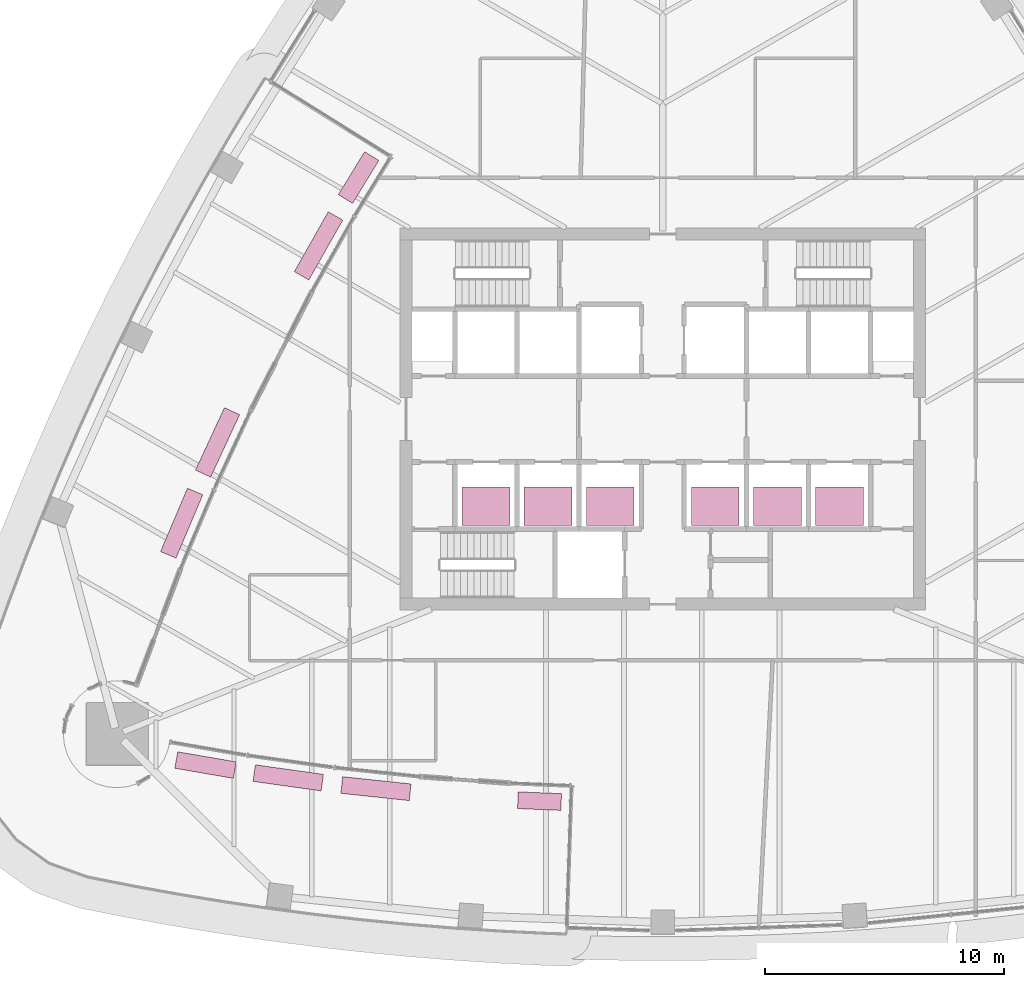
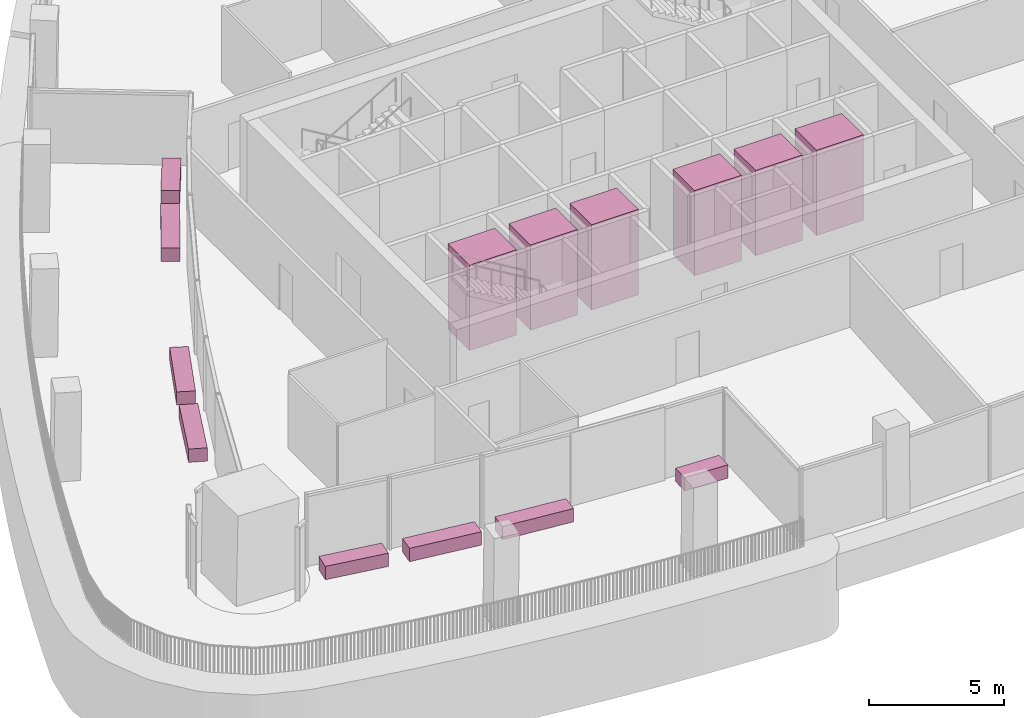
# One storey, part 18 of 18: 8 furniture elements, 6 transport elements.
"""IFC4 building model written with IfcOpenShell, lengths in metres."""

from ifc_helpers import new_model, si_unit, direction, frame, origin, origin_2d, place, context, subcontext, project, spatial, rectangle, extrude, material, type_object, element, save


model = new_model("IFC4")

# Units and contexts
model_context = context("Model", 3, precision=1e-05, world=origin(), true_north=direction((0.0, 1.0)))
body_context = subcontext(model_context, "Body", "Model", "MODEL_VIEW")
ifc_project = project(units=[si_unit("LENGTHUNIT", "METRE"), si_unit("AREAUNIT", "SQUARE_METRE"), si_unit("VOLUMEUNIT", "CUBIC_METRE"), si_unit("PLANEANGLEUNIT", "RADIAN"), si_unit("MASSUNIT", "GRAM", prefix="KILO")], contexts=[model_context])

# Site, building, storey
site_placement = place(None, origin())
site = spatial("IfcSite", under=ifc_project, at=site_placement, CompositionType="ELEMENT")
building_placement = place(site_placement, origin())
building = spatial("IfcBuilding", under=site, at=building_placement, Name="Sierra Prisma Convention Tower", CompositionType="ELEMENT")
storey_placement = place(building_placement, frame((0.0, 0.0, 205.800048828125)))
storey = spatial("IfcBuildingStorey", under=building, at=storey_placement, Name="L46", CompositionType="ELEMENT", Elevation=205.800048828125)

# Transport elements
ifc_material_1 = material(Name="Stainless steel", Category="steel")
transport_element_type = type_object("IfcTransportElementType", Name="Lift car office low 2000x1600 1600 kg", PredefinedType="ELEVATOR", material=ifc_material_1)
for number, where, z_axis, x_axis, name in (
    (1, (-7.39990234375, -3.64990234375, 0.0), (0.0, 0.0, 1.0), (1.0, 0.0, 0.0), "Lift OL1"),
    (2, (-4.800048828125, -3.64990234375, 0.0), (0.0, 0.0, 1.0), (1.0, 0.0, 0.0), "Lift OL2"),
    (3, (-2.199951171875, -3.64990234375, 0.0), (0.0, 0.0, 1.0), (1.0, 0.0, 0.0), "Lift OL3"),
    (4, (2.199951171875, -3.64990234375, 0.0), (0.0, 0.0, 1.0), (1.0, 0.0, 0.0), "Lift OL4"),
    (5, (4.800048828125, -3.64990234375, 0.0), (0.0, 0.0, 1.0), (1.0, 0.0, 0.0), "Lift OL5"),
    (6, (7.39990234375, -3.64990234375, 0.0), (0.0, 0.0, 1.0), (1.0, 0.0, 0.0), "Lift OL6"),
):
    element("IfcTransportElement", number, at=place(storey_placement, frame(where, z_axis=z_axis, x_axis=x_axis)), inside=storey, type_object=transport_element_type, Name=name, PredefinedType="ELEVATOR", context=body_context, shape_type="SweptSolid", body=[
        extrude(rectangle(XDim=2.0, YDim=1.60009765625, at=origin_2d()), origin(), (0.0, 0.0, 1.0), 3.85009765625),
    ])

# Furniture
ifc_material_2 = material(Name="Precast concrete C40/50", Category="concrete")
furniture_type = type_object("IfcFurnitureType", Name="Terrace planter", AssemblyPlace="NOTDEFINED", PredefinedType="USERDEFINED", material=ifc_material_2)
furniture_1_placement = place(storey_placement, frame((-12.7314453125, 10.109619140625, 0.039794921875), z_axis=(0.0, 0.0, 1.0), x_axis=(-0.521721044462, -0.853116142014, 0.0)))
element("IfcFurniture", 7, at=furniture_1_placement, inside=storey, type_object=furniture_type, Name="Planter L46.1", ObjectType="PLANTER", PredefinedType="USERDEFINED", context=body_context, shape_type="SweptSolid", body=[
    extrude(rectangle(XDim=2.10546875, YDim=0.699951171875, at=origin_2d()), origin(), (0.0, 0.0, 1.0), 0.60009765625),
])
for number, where, z_axis, x_axis, name in (
    (8, (-14.40771484375, 7.25, 0.039794921875), (0.0, 0.0, 1.0), (-0.492927219133, -0.870070546932, 0.0), "Planter L46.2"),
    (9, (-18.635009765625, -0.975830078125, 0.039794921875), (0.0, 0.0, 1.0), (-0.420478106612, -0.907302684808, 0.0), "Planter L46.4"),
    (10, (-20.135986328125, -4.35791015625, 0.039794921875), (0.0, 0.0, 1.0), (-0.390689708204, -0.920522434221, 0.0), "Planter L46.5"),
):
    element("IfcFurniture", number, at=place(storey_placement, frame(where, z_axis=z_axis, x_axis=x_axis)), inside=storey, type_object=furniture_type, Name=name, ObjectType="PLANTER", PredefinedType="USERDEFINED", context=body_context, shape_type="SweptSolid", body=[
        extrude(rectangle(XDim=2.8779296875, YDim=0.699951171875, at=origin_2d()), origin(), (0.0, 0.0, 1.0), 0.60009765625),
    ])
furniture_2_placement = place(storey_placement, frame((-19.138427734375, -14.4833984375, 0.039794921875), z_axis=(0.0, 0.0, 1.0), x_axis=(0.985562702001, -0.169310839657, 0.0)))
element("IfcFurniture", 11, at=furniture_2_placement, inside=storey, type_object=furniture_type, Name="Planter L46.30", ObjectType="PLANTER", PredefinedType="USERDEFINED", context=body_context, shape_type="SweptSolid", body=[
    extrude(rectangle(XDim=2.48486328125, YDim=0.699951171875, at=origin_2d()), origin(), (0.0, 0.0, 1.0), 0.60009765625),
])
for number, where, z_axis, x_axis, name in (
    (12, (-15.676513671875, -15.018798828125, 0.039794921875), (0.0, 0.0, 1.0), (0.990422293756, -0.138071286049, 0.0), "Planter L46.31"),
    (13, (-12.00390625, -15.469970703125, 0.039794921875), (0.0, 0.0, 1.0), (0.994395475576, -0.105724349866, 0.0), "Planter L46.32"),
):
    element("IfcFurniture", number, at=place(storey_placement, frame(where, z_axis=z_axis, x_axis=x_axis)), inside=storey, type_object=furniture_type, Name=name, ObjectType="PLANTER", PredefinedType="USERDEFINED", context=body_context, shape_type="SweptSolid", body=[
        extrude(rectangle(XDim=2.8779296875, YDim=0.699951171875, at=origin_2d()), origin(), (0.0, 0.0, 1.0), 0.60009765625),
    ])
furniture_3_placement = place(storey_placement, frame((-5.15771484375, -15.991455078125, 0.039794921875), z_axis=(0.0, 0.0, 1.0), x_axis=(0.999132481717, -0.041644735302, 0.0)))
element("IfcFurniture", 14, at=furniture_3_placement, inside=storey, type_object=furniture_type, Name="Planter L46.34", ObjectType="PLANTER", PredefinedType="USERDEFINED", context=body_context, shape_type="SweptSolid", body=[
    extrude(rectangle(XDim=1.811279296875, YDim=0.699951171875, at=origin_2d()), origin(), (0.0, 0.0, 1.0), 0.60009765625),
])

save(model, "model.ifc")
